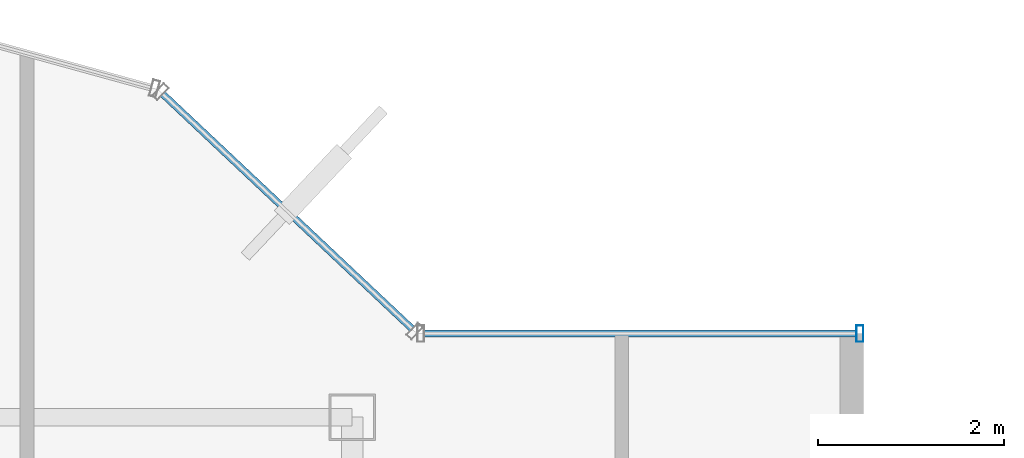
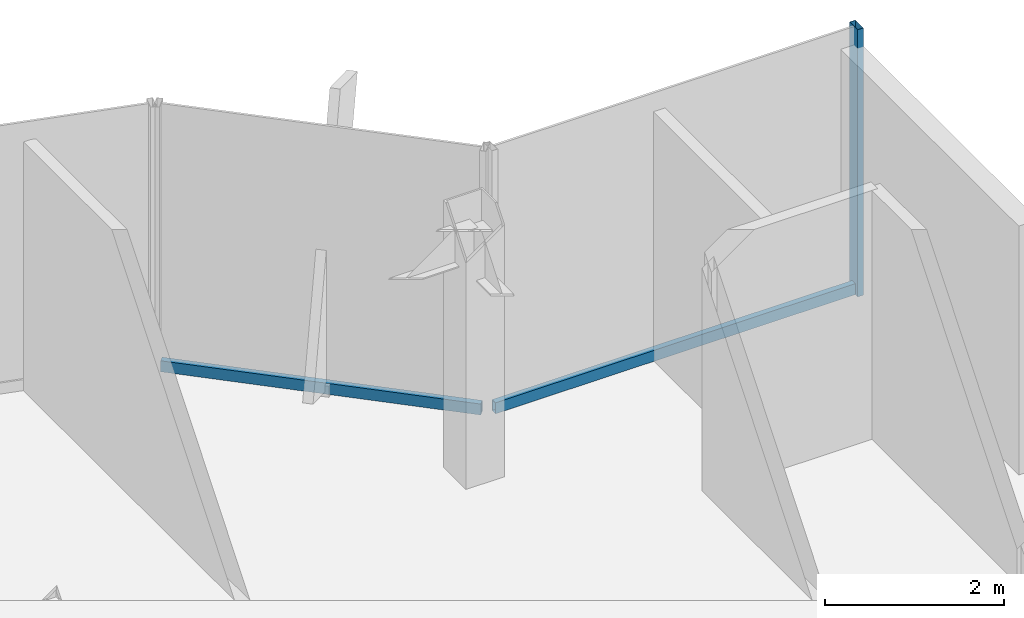
# One storey, part 15 of 22: 3 members, 2 elements without a shape of their own.
"""IFC4 building model written with IfcOpenShell, lengths in metres."""

from ifc_helpers import new_model, si_unit, derived_unit, direction, frame, origin, origin_2d, place, context, subcontext, project, spatial, hollow_rectangle, extrude, source, transform, mapped, material, material_profile, profile_set, type_object, element, aggregate, save


model = new_model("IFC4")

# Units and contexts
model_context = context("Model", 3, precision=1e-05, world=origin(), true_north=direction((0.0, 1.0)))
body_context = subcontext(model_context, "Body", "Model", "MODEL_VIEW")
ifc_project = project(units=[si_unit("LENGTHUNIT", "METRE"), si_unit("AREAUNIT", "SQUARE_METRE"), si_unit("VOLUMEUNIT", "CUBIC_METRE"), si_unit("PLANEANGLEUNIT", "RADIAN"), si_unit("MASSUNIT", "GRAM", prefix="KILO"), derived_unit("THERMALTRANSMITTANCEUNIT", [(si_unit("POWERUNIT", "WATT"), 1), (si_unit("LENGTHUNIT", "METRE"), -2), (si_unit("THERMODYNAMICTEMPERATUREUNIT", "KELVIN"), -1)])], contexts=[model_context])

# Site, building, storey
site_placement = place(None, origin())
site = spatial("IfcSite", under=ifc_project, at=site_placement, CompositionType="ELEMENT")
building_placement = place(site_placement, origin())
building = spatial("IfcBuilding", under=site, at=building_placement, Name="Skarnbrae Concourse Arena and Tower", CompositionType="ELEMENT")
storey_placement = place(building_placement, frame((0.0, 0.0, 273.39990234375)))
storey = spatial("IfcBuildingStorey", under=building, at=storey_placement, Name="L71", CompositionType="ELEMENT", Elevation=273.39990234375)

# Curtain wall, member
ifc_material = material(Name="Bronze anodised aluminium 6063-T6", Category="aluminium")
curtain_wall_type = type_object("IfcCurtainWallType", Name="CW-SYS-05-HIGHZONE", PredefinedType="USERDEFINED", material=ifc_material)
curtain_wall_1_placement = place(storey_placement, origin())
curtain_wall_1 = element("IfcCurtainWall", 1, at=curtain_wall_1_placement, inside=storey, type_object=curtain_wall_type, Name="L71 Unitised curtain wall CW-L71-E07", ObjectType="UNITISED CURTAIN WALL", PredefinedType="USERDEFINED")
ifc_material_profile_1 = material_profile(ifc_material, hollow_rectangle(XDim=0.074951171875, YDim=0.14990234375, WallThickness=0.00390625, at=origin_2d()), Name="ALU-TRAN-75X150")
ifc_profile_set_1 = profile_set([ifc_material_profile_1], Name="Bronze anodised aluminium 6063-T6")
member_type_1 = type_object("IfcMemberType", Name="CWT-CW-05", PredefinedType="USERDEFINED", material=ifc_profile_set_1)
shared_shape_1 = source(origin(), body_context, "Body", "SweptSolid", [
    extrude(hollow_rectangle(XDim=0.074951171875, YDim=0.14990234375, WallThickness=0.00390625, at=origin_2d()), origin(), (0.0, 0.0, 1.0), 4.650146484375),
])
member_1_placement = place(storey_placement, frame((38.925048828125, 35.300048828125, 0.0751953125), z_axis=(-1.0, 0.0, 0.0), x_axis=(0.0, -1.0, 0.0)))
member_1 = element("IfcMember", 2, at=member_1_placement, type_object=member_type_1, Name="CW-L71-E07 Transom 1", ObjectType="TRANSOM", PredefinedType="USERDEFINED", context=body_context, shape_type="MappedRepresentation", body=[
    mapped(shared_shape_1, transform((0.0, 0.0, 0.0))),
])

curtain_wall_2_placement = place(storey_placement, origin())
curtain_wall_2 = element("IfcCurtainWall", 3, at=curtain_wall_2_placement, inside=storey, type_object=curtain_wall_type, Name="L71 Unitised curtain wall CW-L71-E08", ObjectType="UNITISED CURTAIN WALL", PredefinedType="USERDEFINED")
shared_shape_2 = source(origin(), body_context, "Body", "SweptSolid", [
    extrude(hollow_rectangle(XDim=0.074951171875, YDim=0.14990234375, WallThickness=0.00390625, at=origin_2d()), origin(), (0.0, 0.0, 1.0), 3.68212890625),
])
member_2_placement = place(storey_placement, frame((34.1455078125, 35.351318359375, 0.0751953125), z_axis=(-0.728133808476, 0.685435012933, 0.0), x_axis=(-0.685435012933, -0.728133808476, 0.0)))
member_2 = element("IfcMember", 4, at=member_2_placement, type_object=member_type_1, Name="CW-L71-E08 Transom 1", ObjectType="TRANSOM", PredefinedType="USERDEFINED", context=body_context, shape_type="MappedRepresentation", body=[
    mapped(shared_shape_2, transform((0.0, 0.0, 0.0))),
])
aggregate(curtain_wall_2, [member_2])

# Member
ifc_material_profile_2 = material_profile(ifc_material, hollow_rectangle(XDim=0.074951171875, YDim=0.179931640625, WallThickness=0.00390625, at=origin_2d()), Name="ALU-MULL-75X180")
ifc_profile_set_2 = profile_set([ifc_material_profile_2], Name="Bronze anodised aluminium 6063-T6")
member_type_2 = type_object("IfcMemberType", Name="CWM-CW-05", PredefinedType="MULLION", material=ifc_profile_set_2)
shared_shape_3 = source(origin(), body_context, "Body", "SweptSolid", [
    extrude(hollow_rectangle(XDim=0.074951171875, YDim=0.179931640625, WallThickness=0.00390625, at=origin_2d()), origin(), (0.0, 0.0, 1.0), 3.650146484375),
])
member_3_placement = place(storey_placement, frame((38.96240234375, 35.300048828125, 0.0), z_axis=(0.0, 0.0, 1.0), x_axis=(-1.0, 0.0, 0.0)))
member_3 = element("IfcMember", 5, at=member_3_placement, type_object=member_type_2, Name="CW-L71-E07 Mullion 1", PredefinedType="MULLION", context=body_context, shape_type="MappedRepresentation", body=[
    mapped(shared_shape_3, transform((0.0, 0.0, 0.0))),
])

aggregate(curtain_wall_1, [member_3, member_1])

save(model, "model.ifc")
